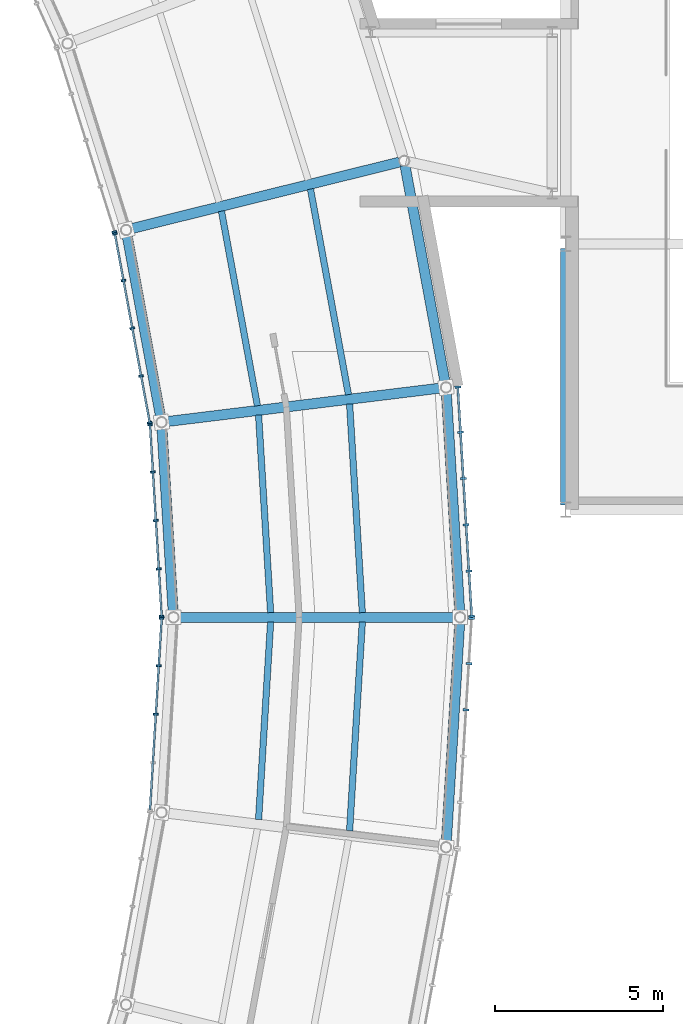
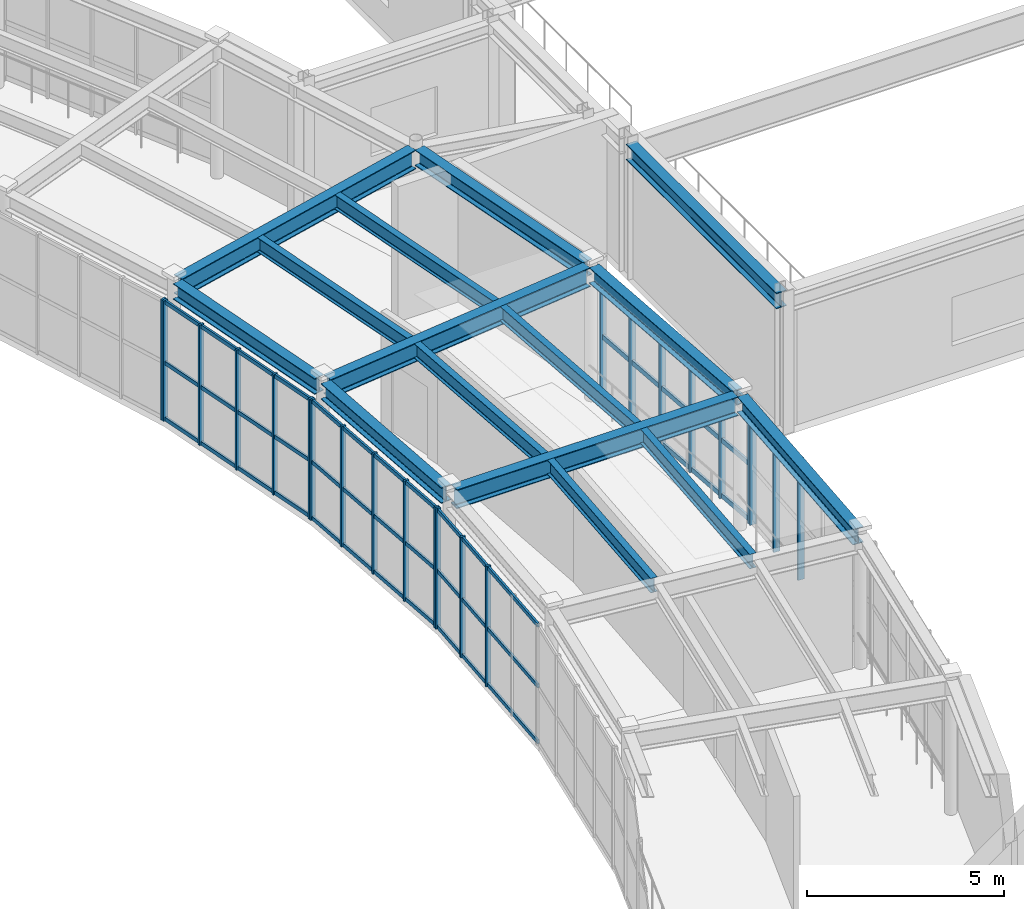
# One storey, part 38 of 103: 35 members, 15 beams, 6 elements without a shape of their own.
"""IFC4 building model written with IfcOpenShell, lengths in metres."""

import ifcopenshell
import ifcopenshell.guid

model = None  # the IFC model being written
_history = None  # IfcOwnerHistory: only IFC2X3 demands one
_inside = {}  # id of a spatial element -> (the spatial element, [elements in it])
_under = {}  # id of a project, library or spatial element -> (it, [spatial elements below it])
_declared = {}  # id of a project -> (the project, [libraries it declares])
_typed = {}  # id of a type object -> (the type object, [elements of that type])
_made_of = {}  # id of a material, layer set ... -> (it, [elements and type objects made of it])


def new_model(schema):
    """Start an empty IFC model of exactly this schema.

    Asked for "IFC4X3", IfcOpenShell would pick the latest addendum, in which some entities
    have other attributes; the version numbers below select the first issue.
    IFC2X3 requires an IfcOwnerHistory on every rooted entity: one is made here for all.
    """
    global model, _history
    if schema == "IFC4X3":
        model = ifcopenshell.file(schema_version=(4, 3, 0, 0))
    else:
        model = ifcopenshell.file(schema=schema)
    _inside.clear()
    _under.clear()
    _declared.clear()
    _typed.clear()
    _made_of.clear()
    _history = None
    if model.schema == "IFC2X3":
        org = make("IfcOrganization", Name="unknown")
        user = make(
            "IfcPersonAndOrganization",
            ThePerson=make("IfcPerson", FamilyName="unknown"),
            TheOrganization=org,
        )
        app = make(
            "IfcApplication",
            ApplicationDeveloper=org,
            Version="unknown",
            ApplicationFullName="unknown",
            ApplicationIdentifier="unknown",
        )
        _history = make(
            "IfcOwnerHistory",
            OwningUser=user,
            OwningApplication=app,
            ChangeAction="ADDED",
            CreationDate=0,
        )
    return model


def make(cls, **values):
    """One entity of the class cls with the attributes given. An attribute that is None is left unset."""
    return model.create_entity(
        cls, **{name: value for name, value in values.items() if value is not None}
    )


def rooted(cls, **values):
    """An entity with a GlobalId (a new one), such as an element, a storey or a relation."""
    return make(cls, GlobalId=ifcopenshell.guid.new(), OwnerHistory=_history, **values)


def si_unit(unit_type, name, prefix=None):
    """IfcSIUnit, for example si_unit("LENGTHUNIT", "METRE", prefix="MILLI")."""
    return make("IfcSIUnit", UnitType=unit_type, Prefix=prefix, Name=name)


def assignment(units):
    """IfcUnitAssignment: the units of a project."""
    return None if units is None else make("IfcUnitAssignment", Units=units)


def point(xyz):
    """IfcCartesianPoint."""
    return None if xyz is None else make("IfcCartesianPoint", Coordinates=xyz)


def direction(xyz):
    """IfcDirection."""
    return None if xyz is None else make("IfcDirection", DirectionRatios=xyz)


def frame(location, z_axis=None, x_axis=None):
    """IfcAxis2Placement3D, a coordinate frame: its origin and axes. An axis left out is left unset."""
    return make(
        "IfcAxis2Placement3D",
        Location=point(location),
        Axis=direction(z_axis),
        RefDirection=direction(x_axis),
    )


def frame_2d(location, x_axis=None):
    """IfcAxis2Placement2D, a coordinate frame in the plane: its origin and x axis."""
    return make(
        "IfcAxis2Placement2D", Location=point(location), RefDirection=direction(x_axis)
    )


def origin():
    """The frame at (0, 0, 0) with its axes left unset."""
    return frame((0.0, 0.0, 0.0))


def origin_2d():
    """The frame at (0, 0) in the plane with its x axis left unset."""
    return frame_2d((0.0, 0.0))


def place(relative_to, where):
    """IfcLocalPlacement: puts the frame where relative to a parent placement (None: the world)."""
    return make(
        "IfcLocalPlacement", PlacementRelTo=relative_to, RelativePlacement=where
    )


def context(
    kind, dimensions, precision=None, world=None, true_north=None, identifier=None
):
    """IfcGeometricRepresentationContext, for example the 3D "Model" context."""
    return make(
        "IfcGeometricRepresentationContext",
        ContextIdentifier=identifier,
        ContextType=kind,
        CoordinateSpaceDimension=dimensions,
        Precision=precision,
        WorldCoordinateSystem=world,
        TrueNorth=true_north,
    )


def subcontext(parent, identifier, kind, view, scale=None):
    """IfcGeometricRepresentationSubContext, for example "Body" below "Model"."""
    return make(
        "IfcGeometricRepresentationSubContext",
        ContextIdentifier=identifier,
        ContextType=kind,
        ParentContext=parent,
        TargetScale=scale,
        TargetView=view,
    )


def project(units=None, contexts=None):
    """IfcProject with its units and contexts."""
    return rooted(
        "IfcProject",
        Name="project",
        RepresentationContexts=contexts,
        UnitsInContext=assignment(units),
    )


def spatial(cls, under=None, at=None, **own):
    """A site, building, storey or space (cls), placed at a placement, below another one or the project."""
    s = rooted(cls, ObjectPlacement=at, **own)
    if under is not None:
        _under.setdefault(under.id(), (under, []))[1].append(s)
    return s


def profile(cls, at=None, kind="AREA", **sizes):
    """A parametric profile (cls). Its sizes go by their IFC names, for example OverallWidth=200.0."""
    return make(cls, ProfileType=kind, Position=at, **sizes)


def rectangle(**sizes):
    """IfcRectangleProfileDef."""
    return profile("IfcRectangleProfileDef", **sizes)


def i_section(**sizes):
    """IfcIShapeProfileDef."""
    return profile("IfcIShapeProfileDef", **sizes)


def extrude(swept, where, along, depth):
    """IfcExtrudedAreaSolid: the profile swept, set in the frame where, extruded along a direction by depth."""
    return make(
        "IfcExtrudedAreaSolid",
        SweptArea=swept,
        Position=where,
        ExtrudedDirection=direction(along),
        Depth=depth,
    )


def shape(context_of_items, identifier, shape_type, items):
    """IfcShapeRepresentation: the items that make up one representation, for example the "Body"."""
    return make(
        "IfcShapeRepresentation",
        ContextOfItems=context_of_items,
        RepresentationIdentifier=identifier,
        RepresentationType=shape_type,
        Items=items,
    )


def material(Name=None, Category=None):
    """IfcMaterial."""
    return make("IfcMaterial", Name=Name, Category=Category)


def material_profile(
    of_material, cross_section, Name=None, Category=None, Priority=None
):
    """IfcMaterialProfile: a cross section and its material."""
    return make(
        "IfcMaterialProfile",
        Name=Name,
        Material=of_material,
        Profile=cross_section,
        Priority=Priority,
        Category=Category,
    )


def profile_set(profiles, Name=None, composite=None):
    """IfcMaterialProfileSet."""
    return make(
        "IfcMaterialProfileSet",
        Name=Name,
        MaterialProfiles=profiles,
        CompositeProfile=composite,
    )


def made_of(thing, what):
    """Note that an element or type object is made of a material, layer set ...; save() writes the relation."""
    if what is not None:
        _made_of.setdefault(what.id(), (what, []))[1].append(thing)
    return thing


def type_object(cls, material=None, **own):
    """A type object (cls), such as IfcWallType, which elements share."""
    return made_of(rooted(cls, **own), material)


def element(
    cls,
    number,
    at=None,
    inside=None,
    cuts=None,
    type_object=None,
    material=None,
    context=None,
    identifier="Body",
    shape_type=None,
    held_by="IfcProductDefinitionShape",
    body=None,
    shapes=None,
    **own,
):
    """One element of the class cls, such as IfcWall. Its Tag is "e" and its number.

    at: its placement. inside: the storey or other place that contains it. cuts: it is an
    opening in that element (IfcRelVoidsElement). A single representation is given by context,
    identifier, shape_type and body (its items); several are given by shapes. held_by: the class
    of the entity that holds the representations. save() writes the other relations.
    """
    e = rooted(cls, Tag="e%d" % number, ObjectPlacement=at, **own)
    if body is not None:
        shapes = [shape(context, identifier, shape_type, body)]
    if shapes is not None:
        e.Representation = make(held_by, Representations=shapes)
    if inside is not None:
        _inside.setdefault(inside.id(), (inside, []))[1].append(e)
    if cuts is not None:
        rooted(
            "IfcRelVoidsElement", RelatingBuildingElement=cuts, RelatedOpeningElement=e
        )
    if type_object is not None:
        _typed.setdefault(type_object.id(), (type_object, []))[1].append(e)
    return made_of(e, material)


def aggregate(whole, parts):
    """IfcRelAggregates: a whole, such as a stair, and the parts it consists of."""
    return rooted("IfcRelAggregates", RelatingObject=whole, RelatedObjects=parts)


def save(model, path):
    """Write the relations noted so far, then the file.

    IfcRelAggregates (storeys below a building ...), IfcRelContainedInSpatialStructure (elements
    in a storey), IfcRelDefinesByType, IfcRelAssociatesMaterial and IfcRelDeclares: one each for
    every whole, place, type object, material and project.
    """
    for whole, parts in _under.values():
        aggregate(whole, parts)
    for where, things in _inside.values():
        rooted(
            "IfcRelContainedInSpatialStructure",
            RelatedElements=things,
            RelatingStructure=where,
        )
    for kind, things in _typed.values():
        rooted("IfcRelDefinesByType", RelatedObjects=things, RelatingType=kind)
    for what, things in _made_of.values():
        rooted("IfcRelAssociatesMaterial", RelatedObjects=things, RelatingMaterial=what)
    for by, libraries in _declared.values():
        rooted("IfcRelDeclares", RelatingContext=by, RelatedDefinitions=libraries)
    model.write(path)


model = new_model("IFC4")

# Units and contexts
model_context = context("Model", 3, precision=1e-05, world=origin(), true_north=direction((0.0, 1.0)))
body_context = subcontext(model_context, "Body", "Model", "MODEL_VIEW")
ifc_project = project(units=[si_unit("LENGTHUNIT", "METRE"), si_unit("AREAUNIT", "SQUARE_METRE"), si_unit("VOLUMEUNIT", "CUBIC_METRE"), si_unit("PLANEANGLEUNIT", "RADIAN"), si_unit("MASSUNIT", "GRAM", prefix="KILO")], contexts=[model_context])

# Site, building, storey
site_placement = place(None, origin())
site = spatial("IfcSite", under=ifc_project, at=site_placement, CompositionType="ELEMENT")
building_placement = place(site_placement, origin())
building = spatial("IfcBuilding", under=site, at=building_placement, Name="Varnklinge Art Gallery", CompositionType="ELEMENT")
storey_placement = place(building_placement, frame((0.0, 0.0, 5.10009765625)))
storey = spatial("IfcBuildingStorey", under=building, at=storey_placement, Name="L01", CompositionType="ELEMENT", Elevation=5.10009765625)

# Beams
ifc_material_1 = material(Name="Steel S355", Category="steel")
ifc_material_profile_1 = material_profile(ifc_material_1, i_section(OverallWidth=0.300048828125, OverallDepth=0.590087890625, WebThickness=0.012939453125, FlangeThickness=0.02490234375, FilletRadius=0.027099609375, at=origin_2d()), Name="HEA 600")
ifc_profile_set_1 = profile_set([ifc_material_profile_1], Name="Steel S355")
beam_type_1 = type_object("IfcBeamType", Name="BM-06", PredefinedType="BEAM", material=ifc_profile_set_1)
for number, where, z_axis, x_axis, name in (
    (1, (111.118408203125, 55.0, 3.885009765625), (-1.0, 0.0, 0.0), (0.0, -1.0, 0.0), "L01 BM-06 BM-V2-L02-R07"),
    (2, (110.702880859375, 61.81640625, 3.885009765625), (-0.992595580805, -0.121466098009, 0.0), (0.121466098009, -0.992595580805, 0.0), "L01 BM-06 BM-V2-L02-R08"),
):
    element("IfcBeam", number, at=place(storey_placement, frame(where, z_axis=z_axis, x_axis=x_axis)), inside=storey, type_object=beam_type_1, Name=name, PredefinedType="BEAM", context=body_context, shape_type="SweptSolid", body=[
        extrude(i_section(OverallWidth=0.300048828125, OverallDepth=0.590087890625, WebThickness=0.012939453125, FlangeThickness=0.02490234375, FilletRadius=0.027099609375, at=origin_2d()), origin(), (0.0, 0.0, 1.0), 8.23681640625),
    ])
beam_1_placement = place(storey_placement, frame((109.46240234375, 68.531982421875, 3.885009765625), z_axis=(-0.970493677731, -0.241126567355, 0.0), x_axis=(0.241126567355, -0.970493677731, 0.0)))
element("IfcBeam", 3, at=beam_1_placement, inside=storey, type_object=beam_type_1, Name="L01 BM-06 BM-V2-L02-R09", PredefinedType="BEAM", context=body_context, shape_type="SweptSolid", body=[
    extrude(i_section(OverallWidth=0.300048828125, OverallDepth=0.590087890625, WebThickness=0.012939453125, FlangeThickness=0.02490234375, FilletRadius=0.027099609375, at=origin_2d()), origin(), (0.0, 0.0, 1.0), 8.236572265625),
])
ifc_material_2 = material(Name="Steel S355", Category="steel")
ifc_material_profile_2 = material_profile(ifc_material_2, i_section(OverallWidth=0.18994140625, OverallDepth=0.449951171875, WebThickness=0.009521484375, FlangeThickness=0.0146484375, FilletRadius=0.02099609375, at=origin_2d()), Name="IPE 450")
ifc_profile_set_2 = profile_set([ifc_material_profile_2], Name="Steel S355")
beam_type_2 = type_object("IfcBeamType", Name="JST-04", PredefinedType="JOIST", material=ifc_profile_set_2)
beam_2_placement = place(storey_placement, frame((107.976318359375, 48.657958984375, 3.954833984375), z_axis=(0.060820084919, 0.998148745063, 0.0), x_axis=(-0.998148745063, 0.060820084919, 0.0)))
element("IfcBeam", 4, at=beam_2_placement, inside=storey, type_object=beam_type_2, Name="L01 JST-04 JST-V2-L02-06-1", PredefinedType="JOIST", context=body_context, shape_type="SweptSolid", body=[
    extrude(i_section(OverallWidth=0.18994140625, OverallDepth=0.449951171875, WebThickness=0.009521484375, FlangeThickness=0.0146484375, FilletRadius=0.02099609375, at=origin_2d()), origin(), (0.0, 0.0, 1.0), 6.2138671875),
])
beam_3_placement = place(storey_placement, frame((105.27099609375, 48.989013671875, 3.954833984375), z_axis=(0.060845929193, 0.998147169961, 0.0), x_axis=(-0.998147169961, 0.060845929193, 0.0)))
element("IfcBeam", 5, at=beam_3_placement, inside=storey, type_object=beam_type_2, Name="L01 JST-04 JST-V2-L02-06-2", PredefinedType="JOIST", context=body_context, shape_type="SweptSolid", body=[
    extrude(i_section(OverallWidth=0.18994140625, OverallDepth=0.449951171875, WebThickness=0.009521484375, FlangeThickness=0.0146484375, FilletRadius=0.02099609375, at=origin_2d()), origin(), (0.0, 0.0, 1.0), 5.88232421875),
])
beam_4_placement = place(storey_placement, frame((108.354248046875, 55.1396484375, 3.954833984375), z_axis=(-0.060820084919, 0.998148745063, 0.0), x_axis=(-0.998148745063, -0.060820084919, 0.0)))
element("IfcBeam", 6, at=beam_4_placement, inside=storey, type_object=beam_type_2, Name="L01 JST-04 JST-V2-L02-07-1", PredefinedType="JOIST", context=body_context, shape_type="SweptSolid", body=[
    extrude(i_section(OverallWidth=0.18994140625, OverallDepth=0.449951171875, WebThickness=0.009521484375, FlangeThickness=0.0146484375, FilletRadius=0.02099609375, at=origin_2d()), origin(), (0.0, 0.0, 1.0), 6.2138671875),
])
beam_5_placement = place(storey_placement, frame((105.62890625, 55.1396484375, 3.954833984375), z_axis=(-0.060845929193, 0.998147169961, 0.0), x_axis=(-0.998147169961, -0.060845929193, 0.0)))
element("IfcBeam", 7, at=beam_5_placement, inside=storey, type_object=beam_type_2, Name="L01 JST-04 JST-V2-L02-07-2", PredefinedType="JOIST", context=body_context, shape_type="SweptSolid", body=[
    extrude(i_section(OverallWidth=0.18994140625, OverallDepth=0.449951171875, WebThickness=0.009521484375, FlangeThickness=0.0146484375, FilletRadius=0.02099609375, at=origin_2d()), origin(), (0.0, 0.0, 1.0), 5.88232421875),
])
beam_6_placement = place(storey_placement, frame((107.942138671875, 61.619384765625, 3.954833984375), z_axis=(-0.181640421722, 0.983365017273, 0.0), x_axis=(-0.983365017273, -0.181640421722, 0.0)))
element("IfcBeam", 8, at=beam_6_placement, inside=storey, type_object=beam_type_2, Name="L01 JST-04 JST-V2-L02-08-1", PredefinedType="JOIST", context=body_context, shape_type="SweptSolid", body=[
    extrude(i_section(OverallWidth=0.18994140625, OverallDepth=0.449951171875, WebThickness=0.009521484375, FlangeThickness=0.0146484375, FilletRadius=0.02099609375, at=origin_2d()), origin(), (0.0, 0.0, 1.0), 6.213623046875),
])
beam_7_placement = place(storey_placement, frame((105.23681640625, 61.288330078125, 3.954833984375), z_axis=(-0.181631460363, 0.983366672512, 0.0), x_axis=(-0.983366672512, -0.181631460363, 0.0)))
element("IfcBeam", 9, at=beam_7_placement, inside=storey, type_object=beam_type_2, Name="L01 JST-04 JST-V2-L02-08-2", PredefinedType="JOIST", context=body_context, shape_type="SweptSolid", body=[
    extrude(i_section(OverallWidth=0.18994140625, OverallDepth=0.449951171875, WebThickness=0.009521484375, FlangeThickness=0.0146484375, FilletRadius=0.02099609375, at=origin_2d()), origin(), (0.0, 0.0, 1.0), 5.882080078125),
])

# Curtain wall, members
ifc_material_3 = material(Name="Anodised Aluminium", Category="aluminium")
curtain_wall_type_1 = type_object("IfcCurtainWallType", Name="CW-R02", PredefinedType="USERDEFINED", material=ifc_material_3)
curtain_wall_1_placement = place(storey_placement, origin())
curtain_wall_1 = element("IfcCurtainWall", 10, at=curtain_wall_1_placement, inside=storey, type_object=curtain_wall_type_1, Name="L01 Curtain Wall CW-V2O-L01-06", ObjectType="UNITISED CURTAIN WALL", PredefinedType="USERDEFINED")
ifc_material_4 = material(Name="Anodised Aluminium", Category="aluminium")
ifc_material_profile_3 = material_profile(ifc_material_4, rectangle(XDim=0.06494140625, YDim=0.179931640625, at=origin_2d()), Name="ALU 65x180")
ifc_profile_set_3 = profile_set([ifc_material_profile_3], Name="Anodised Aluminium")
member_type_1 = type_object("IfcMemberType", Name="MUL-01", PredefinedType="MULLION", material=ifc_profile_set_3)
member_1_placement = place(storey_placement, frame((111.44091796875, 52.24951171875, 0.0), z_axis=(0.0, 0.0, 1.0), x_axis=(0.06087433122, 0.9981454382, 0.0)))
member_1 = element("IfcMember", 11, at=member_1_placement, type_object=member_type_1, Name="CW-V2O-L01-06 Mullion 4", PredefinedType="MULLION", context=body_context, shape_type="SweptSolid", body=[
    extrude(rectangle(XDim=0.06494140625, YDim=0.179931640625, at=origin_2d()), origin(), (0.0, 0.0, 1.0), 3.72998046875),
])
member_2_placement = place(storey_placement, frame((111.524658203125, 53.624755859375, 0.0), z_axis=(0.0, 0.0, 1.0), x_axis=(0.06087433122, 0.9981454382, 0.0)))
member_2 = element("IfcMember", 12, at=member_2_placement, type_object=member_type_1, Name="CW-V2O-L01-06 Mullion 5", PredefinedType="MULLION", context=body_context, shape_type="SweptSolid", body=[
    extrude(rectangle(XDim=0.06494140625, YDim=0.179931640625, at=origin_2d()), origin(), (0.0, 0.0, 1.0), 3.72998046875),
])
member_3_placement = place(storey_placement, frame((111.6064453125, 54.967529296875, 0.0), z_axis=(0.0, 0.0, 1.0), x_axis=(0.06087433122, 0.9981454382, 0.0)))
member_3 = element("IfcMember", 13, at=member_3_placement, type_object=member_type_1, Name="CW-V2O-L01-06 Mullion 6", PredefinedType="MULLION", context=body_context, shape_type="SweptSolid", body=[
    extrude(rectangle(XDim=0.06494140625, YDim=0.179931640625, at=origin_2d()), origin(), (0.0, 0.0, 1.0), 3.72998046875),
])
aggregate(curtain_wall_1, [member_1, member_2, member_3])

curtain_wall_2_placement = place(storey_placement, origin())
curtain_wall_2 = element("IfcCurtainWall", 14, at=curtain_wall_2_placement, inside=storey, type_object=curtain_wall_type_1, Name="L01 Curtain Wall CW-V2O-L01-07", ObjectType="UNITISED CURTAIN WALL", PredefinedType="USERDEFINED")
member_4_placement = place(storey_placement, frame((111.6064453125, 55.032470703125, 0.0), z_axis=(0.0, 0.0, 1.0), x_axis=(-0.06087433122, 0.9981454382, 0.0)))
member_4 = element("IfcMember", 15, at=member_4_placement, type_object=member_type_1, Name="CW-V2O-L01-07 Mullion 1", PredefinedType="MULLION", context=body_context, shape_type="SweptSolid", body=[
    extrude(rectangle(XDim=0.06494140625, YDim=0.179931640625, at=origin_2d()), origin(), (0.0, 0.0, 1.0), 3.72998046875),
])
member_5_placement = place(storey_placement, frame((111.524658203125, 56.375244140625, 0.0), z_axis=(0.0, 0.0, 1.0), x_axis=(-0.06087433122, 0.9981454382, 0.0)))
member_5 = element("IfcMember", 16, at=member_5_placement, type_object=member_type_1, Name="CW-V2O-L01-07 Mullion 2", PredefinedType="MULLION", context=body_context, shape_type="SweptSolid", body=[
    extrude(rectangle(XDim=0.06494140625, YDim=0.179931640625, at=origin_2d()), origin(), (0.0, 0.0, 1.0), 3.72998046875),
])
member_6_placement = place(storey_placement, frame((111.44091796875, 57.75048828125, 0.0), z_axis=(0.0, 0.0, 1.0), x_axis=(-0.06087433122, 0.9981454382, 0.0)))
member_6 = element("IfcMember", 17, at=member_6_placement, type_object=member_type_1, Name="CW-V2O-L01-07 Mullion 3", PredefinedType="MULLION", context=body_context, shape_type="SweptSolid", body=[
    extrude(rectangle(XDim=0.06494140625, YDim=0.179931640625, at=origin_2d()), origin(), (0.0, 0.0, 1.0), 3.72998046875),
])
member_7_placement = place(storey_placement, frame((111.35693359375, 59.12548828125, 0.0), z_axis=(0.0, 0.0, 1.0), x_axis=(-0.06087433122, 0.9981454382, 0.0)))
member_7 = element("IfcMember", 18, at=member_7_placement, type_object=member_type_1, Name="CW-V2O-L01-07 Mullion 4", PredefinedType="MULLION", context=body_context, shape_type="SweptSolid", body=[
    extrude(rectangle(XDim=0.06494140625, YDim=0.179931640625, at=origin_2d()), origin(), (0.0, 0.0, 1.0), 3.72998046875),
])
member_8_placement = place(storey_placement, frame((111.273193359375, 60.500732421875, 0.0), z_axis=(0.0, 0.0, 1.0), x_axis=(-0.06087433122, 0.9981454382, 0.0)))
member_8 = element("IfcMember", 19, at=member_8_placement, type_object=member_type_1, Name="CW-V2O-L01-07 Mullion 5", PredefinedType="MULLION", context=body_context, shape_type="SweptSolid", body=[
    extrude(rectangle(XDim=0.06494140625, YDim=0.179931640625, at=origin_2d()), origin(), (0.0, 0.0, 1.0), 3.72998046875),
])
member_9_placement = place(storey_placement, frame((111.19140625, 61.843505859375, 0.0), z_axis=(0.0, 0.0, 1.0), x_axis=(-0.06087433122, 0.9981454382, 0.0)))
member_9 = element("IfcMember", 20, at=member_9_placement, type_object=member_type_1, Name="CW-V2O-L01-07 Mullion 6", PredefinedType="MULLION", context=body_context, shape_type="SweptSolid", body=[
    extrude(rectangle(XDim=0.06494140625, YDim=0.179931640625, at=origin_2d()), origin(), (0.0, 0.0, 1.0), 3.72998046875),
])

ifc_material_5 = material(Name="Anodised Aluminium", Category="aluminium")
curtain_wall_type_2 = type_object("IfcCurtainWallType", Name="CW-R04", PredefinedType="USERDEFINED", material=ifc_material_5)
curtain_wall_3_placement = place(storey_placement, origin())
curtain_wall_3 = element("IfcCurtainWall", 21, at=curtain_wall_3_placement, inside=storey, type_object=curtain_wall_type_2, Name="L01 Curtain Wall CW-V2I-L01-06", ObjectType="UNITISED CURTAIN WALL", PredefinedType="USERDEFINED")
ifc_material_6 = material(Name="Anodised Aluminium", Category="aluminium")
ifc_material_profile_4 = material_profile(ifc_material_6, rectangle(XDim=0.06005859375, YDim=0.139892578125, at=origin_2d()), Name="ALU 60x140")
ifc_profile_set_4 = profile_set([ifc_material_profile_4], Name="Anodised Aluminium")
member_type_2 = type_object("IfcMemberType", Name="MUL-03", PredefinedType="MULLION", material=ifc_profile_set_4)
member_10_placement = place(storey_placement, frame((102.3896484375, 54.97021484375, 0.0), z_axis=(0.0, 0.0, 1.0), x_axis=(-0.06087433122, -0.9981454382, 0.0)))
member_10 = element("IfcMember", 22, at=member_10_placement, type_object=member_type_2, Name="CW-V2I-L01-06 Mullion 1", PredefinedType="MULLION", context=body_context, shape_type="SweptSolid", body=[
    extrude(rectangle(XDim=0.06005859375, YDim=0.139892578125, at=origin_2d()), origin(), (0.0, 0.0, 1.0), 3.72998046875),
])
member_11_placement = place(storey_placement, frame((102.3037109375, 53.560791015625, 0.0), z_axis=(0.0, 0.0, 1.0), x_axis=(-0.06087433122, -0.9981454382, 0.0)))
member_11 = element("IfcMember", 23, at=member_11_placement, type_object=member_type_2, Name="CW-V2I-L01-06 Mullion 2", PredefinedType="MULLION", context=body_context, shape_type="SweptSolid", body=[
    extrude(rectangle(XDim=0.06005859375, YDim=0.139892578125, at=origin_2d()), origin(), (0.0, 0.0, 1.0), 3.72998046875),
])
member_12_placement = place(storey_placement, frame((102.216064453125, 52.121826171875, 0.0), z_axis=(0.0, 0.0, 1.0), x_axis=(-0.06087433122, -0.9981454382, 0.0)))
member_12 = element("IfcMember", 24, at=member_12_placement, type_object=member_type_2, Name="CW-V2I-L01-06 Mullion 3", PredefinedType="MULLION", context=body_context, shape_type="SweptSolid", body=[
    extrude(rectangle(XDim=0.06005859375, YDim=0.139892578125, at=origin_2d()), origin(), (0.0, 0.0, 1.0), 3.72998046875),
])

curtain_wall_4_placement = place(storey_placement, origin())
curtain_wall_4 = element("IfcCurtainWall", 25, at=curtain_wall_4_placement, inside=storey, type_object=curtain_wall_type_2, Name="L01 Curtain Wall CW-V2I-L01-07", ObjectType="UNITISED CURTAIN WALL", PredefinedType="USERDEFINED")
member_13_placement = place(storey_placement, frame((102.04248046875, 60.7265625, 0.0), z_axis=(0.0, 0.0, 1.0), x_axis=(0.06087433122, -0.9981454382, 0.0)))
member_13 = element("IfcMember", 26, at=member_13_placement, type_object=member_type_2, Name="CW-V2I-L01-07 Mullion 1", PredefinedType="MULLION", context=body_context, shape_type="SweptSolid", body=[
    extrude(rectangle(XDim=0.06005859375, YDim=0.139892578125, at=origin_2d()), origin(), (0.0, 0.0, 1.0), 3.72998046875),
])
member_14_placement = place(storey_placement, frame((102.12841796875, 59.3173828125, 0.0), z_axis=(0.0, 0.0, 1.0), x_axis=(0.06087433122, -0.9981454382, 0.0)))
member_14 = element("IfcMember", 27, at=member_14_placement, type_object=member_type_2, Name="CW-V2I-L01-07 Mullion 2", PredefinedType="MULLION", context=body_context, shape_type="SweptSolid", body=[
    extrude(rectangle(XDim=0.06005859375, YDim=0.139892578125, at=origin_2d()), origin(), (0.0, 0.0, 1.0), 3.72998046875),
])
member_15_placement = place(storey_placement, frame((102.216064453125, 57.878173828125, 0.0), z_axis=(0.0, 0.0, 1.0), x_axis=(0.06087433122, -0.9981454382, 0.0)))
member_15 = element("IfcMember", 28, at=member_15_placement, type_object=member_type_2, Name="CW-V2I-L01-07 Mullion 3", PredefinedType="MULLION", context=body_context, shape_type="SweptSolid", body=[
    extrude(rectangle(XDim=0.06005859375, YDim=0.139892578125, at=origin_2d()), origin(), (0.0, 0.0, 1.0), 3.72998046875),
])
member_16_placement = place(storey_placement, frame((102.3037109375, 56.439208984375, 0.0), z_axis=(0.0, 0.0, 1.0), x_axis=(0.06087433122, -0.9981454382, 0.0)))
member_16 = element("IfcMember", 29, at=member_16_placement, type_object=member_type_2, Name="CW-V2I-L01-07 Mullion 4", PredefinedType="MULLION", context=body_context, shape_type="SweptSolid", body=[
    extrude(rectangle(XDim=0.06005859375, YDim=0.139892578125, at=origin_2d()), origin(), (0.0, 0.0, 1.0), 3.72998046875),
])
member_17_placement = place(storey_placement, frame((102.3896484375, 55.02978515625, 0.0), z_axis=(0.0, 0.0, 1.0), x_axis=(0.06087433122, -0.9981454382, 0.0)))
member_17 = element("IfcMember", 30, at=member_17_placement, type_object=member_type_2, Name="CW-V2I-L01-07 Mullion 5", PredefinedType="MULLION", context=body_context, shape_type="SweptSolid", body=[
    extrude(rectangle(XDim=0.06005859375, YDim=0.139892578125, at=origin_2d()), origin(), (0.0, 0.0, 1.0), 3.72998046875),
])

curtain_wall_5_placement = place(storey_placement, origin())
curtain_wall_5 = element("IfcCurtainWall", 31, at=curtain_wall_5_placement, inside=storey, type_object=curtain_wall_type_2, Name="L01 Curtain Wall CW-V2I-L01-08", ObjectType="UNITISED CURTAIN WALL", PredefinedType="USERDEFINED")
member_18_placement = place(storey_placement, frame((100.99853515625, 66.398193359375, 0.0), z_axis=(0.0, 0.0, 1.0), x_axis=(0.181549039717, -0.983381892338, 0.0)))
member_18 = element("IfcMember", 32, at=member_18_placement, type_object=member_type_2, Name="CW-V2I-L01-08 Mullion 1", PredefinedType="MULLION", context=body_context, shape_type="SweptSolid", body=[
    extrude(rectangle(XDim=0.06005859375, YDim=0.139892578125, at=origin_2d()), origin(), (0.0, 0.0, 1.0), 3.72998046875),
])
member_19_placement = place(storey_placement, frame((101.2548828125, 65.009765625, 0.0), z_axis=(0.0, 0.0, 1.0), x_axis=(0.181549039717, -0.983381892338, 0.0)))
member_19 = element("IfcMember", 33, at=member_19_placement, type_object=member_type_2, Name="CW-V2I-L01-08 Mullion 2", PredefinedType="MULLION", context=body_context, shape_type="SweptSolid", body=[
    extrude(rectangle(XDim=0.06005859375, YDim=0.139892578125, at=origin_2d()), origin(), (0.0, 0.0, 1.0), 3.72998046875),
])
member_20_placement = place(storey_placement, frame((101.516845703125, 63.592041015625, 0.0), z_axis=(0.0, 0.0, 1.0), x_axis=(0.181549039717, -0.983381892338, 0.0)))
member_20 = element("IfcMember", 34, at=member_20_placement, type_object=member_type_2, Name="CW-V2I-L01-08 Mullion 3", PredefinedType="MULLION", context=body_context, shape_type="SweptSolid", body=[
    extrude(rectangle(XDim=0.06005859375, YDim=0.139892578125, at=origin_2d()), origin(), (0.0, 0.0, 1.0), 3.72998046875),
])
member_21_placement = place(storey_placement, frame((101.77880859375, 62.17431640625, 0.0), z_axis=(0.0, 0.0, 1.0), x_axis=(0.181549039717, -0.983381892338, 0.0)))
member_21 = element("IfcMember", 35, at=member_21_placement, type_object=member_type_2, Name="CW-V2I-L01-08 Mullion 4", PredefinedType="MULLION", context=body_context, shape_type="SweptSolid", body=[
    extrude(rectangle(XDim=0.06005859375, YDim=0.139892578125, at=origin_2d()), origin(), (0.0, 0.0, 1.0), 3.72998046875),
])
member_22_placement = place(storey_placement, frame((102.03515625, 60.785888671875, 0.0), z_axis=(0.0, 0.0, 1.0), x_axis=(0.181549039717, -0.983381892338, 0.0)))
member_22 = element("IfcMember", 36, at=member_22_placement, type_object=member_type_2, Name="CW-V2I-L01-08 Mullion 5", PredefinedType="MULLION", context=body_context, shape_type="SweptSolid", body=[
    extrude(rectangle(XDim=0.06005859375, YDim=0.139892578125, at=origin_2d()), origin(), (0.0, 0.0, 1.0), 3.72998046875),
])

# Curtain wall, member
curtain_wall_6_placement = place(storey_placement, origin())
curtain_wall_6 = element("IfcCurtainWall", 37, at=curtain_wall_6_placement, inside=storey, type_object=curtain_wall_type_2, Name="L01 Curtain Wall CW-V2I-L01-09", ObjectType="UNITISED CURTAIN WALL", PredefinedType="USERDEFINED")
member_23_placement = place(storey_placement, frame((100.984130859375, 66.456298828125, 0.0), z_axis=(0.0, 0.0, 1.0), x_axis=(0.299706904751, -0.954031326134, 0.0)))
member_23 = element("IfcMember", 38, at=member_23_placement, type_object=member_type_2, Name="CW-V2I-L01-09 Mullion 5", PredefinedType="MULLION", context=body_context, shape_type="SweptSolid", body=[
    extrude(rectangle(XDim=0.06005859375, YDim=0.139892578125, at=origin_2d()), origin(), (0.0, 0.0, 1.0), 3.72998046875),
])
aggregate(curtain_wall_6, [member_23])

# Beams
ifc_material_7 = material(Name="Steel S355", Category="steel")
ifc_material_profile_5 = material_profile(ifc_material_7, i_section(OverallWidth=0.300048828125, OverallDepth=0.489990234375, WebThickness=0.011962890625, FlangeThickness=0.02294921875, FilletRadius=0.027099609375, at=origin_2d()), Name="HEA 500")
ifc_profile_set_5 = profile_set([ifc_material_profile_5], Name="Steel S355")
beam_type_3 = type_object("IfcBeamType", Name="SPB-01", PredefinedType="SPANDREL", material=ifc_profile_set_5)
beam_8_placement = place(storey_placement, frame((114.39990234375, 58.340087890625, 3.9248046875), z_axis=(0.0, 1.0, 0.0), x_axis=(-1.0, 0.0, 0.0)))
element("IfcBeam", 39, at=beam_8_placement, inside=storey, type_object=beam_type_3, Name="L01 SPB-01 BM-V1-L02-Y0-0", PredefinedType="SPANDREL", context=body_context, shape_type="SweptSolid", body=[
    extrude(i_section(OverallWidth=0.300048828125, OverallDepth=0.489990234375, WebThickness=0.011962890625, FlangeThickness=0.02294921875, FilletRadius=0.027099609375, at=origin_2d()), origin(), (0.0, 0.0, 1.0), 7.619873046875),
])
for number, where, z_axis, x_axis, name in (
    (40, (110.8505859375, 48.30615234375, 3.934814453125), (0.060827334582, 0.998148303293, 0.0), (-0.998148303293, 0.060827334582, 0.0), "L01 SPB-01 BM-V2-L02-O06"),
    (41, (111.25, 55.1396484375, 3.934814453125), (-0.060827334582, 0.998148303293, 0.0), (-0.998148303293, -0.060827334582, 0.0), "L01 SPB-01 BM-V2-L02-O07"),
):
    element("IfcBeam", number, at=place(storey_placement, frame(where, z_axis=z_axis, x_axis=x_axis)), inside=storey, type_object=beam_type_3, Name=name, PredefinedType="SPANDREL", context=body_context, shape_type="SweptSolid", body=[
        extrude(i_section(OverallWidth=0.300048828125, OverallDepth=0.489990234375, WebThickness=0.011962890625, FlangeThickness=0.02294921875, FilletRadius=0.027099609375, at=origin_2d()), origin(), (0.0, 0.0, 1.0), 6.56640625),
    ])
beam_9_placement = place(storey_placement, frame((102.73291015625, 55.1396484375, 3.934814453125), z_axis=(-0.06083896784, 0.998147594293, 0.0), x_axis=(-0.998147594293, -0.06083896784, 0.0)))
element("IfcBeam", 42, at=beam_9_placement, inside=storey, type_object=beam_type_3, Name="L01 SPB-01 BM-V2-L02-I07", PredefinedType="SPANDREL", context=body_context, shape_type="SweptSolid", body=[
    extrude(i_section(OverallWidth=0.300048828125, OverallDepth=0.489990234375, WebThickness=0.011962890625, FlangeThickness=0.02294921875, FilletRadius=0.027099609375, at=origin_2d()), origin(), (0.0, 0.0, 1.0), 5.52978515625),
])
beam_10_placement = place(storey_placement, frame((110.816650390625, 61.97119140625, 3.934814453125), z_axis=(-0.181672496831, 0.983359092039, 0.0), x_axis=(-0.983359092039, -0.181672496831, 0.0)))
element("IfcBeam", 43, at=beam_10_placement, inside=storey, type_object=beam_type_3, Name="L01 SPB-01 BM-V2-L02-O08", PredefinedType="SPANDREL", context=body_context, shape_type="SweptSolid", body=[
    extrude(i_section(OverallWidth=0.300048828125, OverallDepth=0.489990234375, WebThickness=0.011962890625, FlangeThickness=0.02294921875, FilletRadius=0.027099609375, at=origin_2d()), origin(), (0.0, 0.0, 1.0), 6.566162109375),
])
beam_11_placement = place(storey_placement, frame((102.362548828125, 60.9365234375, 3.934814453125), z_axis=(-0.181635496942, 0.983365926932, 0.0), x_axis=(-0.983365926932, -0.181635496942, 0.0)))
element("IfcBeam", 44, at=beam_11_placement, inside=storey, type_object=beam_type_3, Name="L01 SPB-01 BM-V2-L02-I08", PredefinedType="SPANDREL", context=body_context, shape_type="SweptSolid", body=[
    extrude(i_section(OverallWidth=0.300048828125, OverallDepth=0.489990234375, WebThickness=0.011962890625, FlangeThickness=0.02294921875, FilletRadius=0.027099609375, at=origin_2d()), origin(), (0.0, 0.0, 1.0), 5.52978515625),
])

# Member
ifc_material_8 = material(Name="Anodised Aluminium", Category="aluminium")
ifc_material_profile_6 = material_profile(ifc_material_8, rectangle(XDim=0.06494140625, YDim=0.14990234375, at=origin_2d()), Name="ALU 65x150")
ifc_profile_set_6 = profile_set([ifc_material_profile_6], Name="Anodised Aluminium")
member_type_3 = type_object("IfcMemberType", Name="TRN-01", PredefinedType="USERDEFINED", material=ifc_profile_set_6)
member_24_placement = place(storey_placement, frame((111.6064453125, 55.032470703125, 0.074951171875), z_axis=(-0.060823446783, 0.998148540209, 0.0), x_axis=(-0.998148540209, -0.060823446783, 0.0)))
member_24 = element("IfcMember", 45, at=member_24_placement, type_object=member_type_3, Name="CW-V2O-L01-07 Transom 1", ObjectType="TRANSOM", PredefinedType="USERDEFINED", context=body_context, shape_type="SweptSolid", body=[
    extrude(rectangle(XDim=0.06494140625, YDim=0.14990234375, at=origin_2d()), origin(), (0.0, 0.0, 1.0), 6.82373046875),
])

member_25_placement = place(storey_placement, frame((111.6064453125, 55.032470703125, 1.790283203125), z_axis=(-0.060823446783, 0.998148540209, 0.0), x_axis=(-0.998148540209, -0.060823446783, 0.0)))
member_25 = element("IfcMember", 46, at=member_25_placement, type_object=member_type_3, Name="CW-V2O-L01-07 Transom 2", ObjectType="TRANSOM", PredefinedType="USERDEFINED", context=body_context, shape_type="SweptSolid", body=[
    extrude(rectangle(XDim=0.06494140625, YDim=0.14990234375, at=origin_2d()), origin(), (0.0, 0.0, 1.0), 6.82373046875),
])

member_26_placement = place(storey_placement, frame((111.6064453125, 55.032470703125, 3.65478515625), z_axis=(-0.060823446783, 0.998148540209, 0.0), x_axis=(-0.998148540209, -0.060823446783, 0.0)))
member_26 = element("IfcMember", 47, at=member_26_placement, type_object=member_type_3, Name="CW-V2O-L01-07 Transom 3", ObjectType="TRANSOM", PredefinedType="USERDEFINED", context=body_context, shape_type="SweptSolid", body=[
    extrude(rectangle(XDim=0.06494140625, YDim=0.14990234375, at=origin_2d()), origin(), (0.0, 0.0, 1.0), 6.82373046875),
])

aggregate(curtain_wall_2, [member_4, member_5, member_6, member_7, member_8, member_9, member_24, member_25, member_26])

ifc_material_9 = material(Name="Anodised Aluminium", Category="aluminium")
ifc_material_profile_7 = material_profile(ifc_material_9, rectangle(XDim=0.06005859375, YDim=0.1201171875, at=origin_2d()), Name="ALU 60x120")
ifc_profile_set_7 = profile_set([ifc_material_profile_7], Name="Anodised Aluminium")
member_type_4 = type_object("IfcMemberType", Name="TRN-02", PredefinedType="USERDEFINED", material=ifc_profile_set_7)
member_27_placement = place(storey_placement, frame((102.3896484375, 54.97021484375, 0.059814453125), z_axis=(-0.060828268038, -0.998148246408, 0.0), x_axis=(0.998148246408, -0.060828268038, 0.0)))
member_27 = element("IfcMember", 48, at=member_27_placement, type_object=member_type_4, Name="CW-V2I-L01-06 Transom 1", ObjectType="TRANSOM", PredefinedType="USERDEFINED", context=body_context, shape_type="SweptSolid", body=[
    extrude(rectangle(XDim=0.06005859375, YDim=0.1201171875, at=origin_2d()), origin(), (0.0, 0.0, 1.0), 5.707275390625),
])

member_28_placement = place(storey_placement, frame((102.3896484375, 54.97021484375, 1.790283203125), z_axis=(-0.060828268038, -0.998148246408, 0.0), x_axis=(0.998148246408, -0.060828268038, 0.0)))
member_28 = element("IfcMember", 49, at=member_28_placement, type_object=member_type_4, Name="CW-V2I-L01-06 Transom 2", ObjectType="TRANSOM", PredefinedType="USERDEFINED", context=body_context, shape_type="SweptSolid", body=[
    extrude(rectangle(XDim=0.06005859375, YDim=0.1201171875, at=origin_2d()), origin(), (0.0, 0.0, 1.0), 5.707275390625),
])

member_29_placement = place(storey_placement, frame((102.3896484375, 54.97021484375, 3.669921875), z_axis=(-0.060828268038, -0.998148246408, 0.0), x_axis=(0.998148246408, -0.060828268038, 0.0)))
member_29 = element("IfcMember", 50, at=member_29_placement, type_object=member_type_4, Name="CW-V2I-L01-06 Transom 3", ObjectType="TRANSOM", PredefinedType="USERDEFINED", context=body_context, shape_type="SweptSolid", body=[
    extrude(rectangle(XDim=0.06005859375, YDim=0.1201171875, at=origin_2d()), origin(), (0.0, 0.0, 1.0), 5.707275390625),
])

aggregate(curtain_wall_3, [member_10, member_11, member_12, member_27, member_28, member_29])

member_30_placement = place(storey_placement, frame((102.04248046875, 60.7265625, 0.059814453125), z_axis=(0.060828268038, -0.998148246408, 0.0), x_axis=(0.998148246408, 0.060828268038, 0.0)))
member_30 = element("IfcMember", 51, at=member_30_placement, type_object=member_type_4, Name="CW-V2I-L01-07 Transom 1", ObjectType="TRANSOM", PredefinedType="USERDEFINED", context=body_context, shape_type="SweptSolid", body=[
    extrude(rectangle(XDim=0.06005859375, YDim=0.1201171875, at=origin_2d()), origin(), (0.0, 0.0, 1.0), 5.707275390625),
])

member_31_placement = place(storey_placement, frame((102.04248046875, 60.7265625, 1.790283203125), z_axis=(0.060828268038, -0.998148246408, 0.0), x_axis=(0.998148246408, 0.060828268038, 0.0)))
member_31 = element("IfcMember", 52, at=member_31_placement, type_object=member_type_4, Name="CW-V2I-L01-07 Transom 2", ObjectType="TRANSOM", PredefinedType="USERDEFINED", context=body_context, shape_type="SweptSolid", body=[
    extrude(rectangle(XDim=0.06005859375, YDim=0.1201171875, at=origin_2d()), origin(), (0.0, 0.0, 1.0), 5.707275390625),
])

member_32_placement = place(storey_placement, frame((102.04248046875, 60.7265625, 3.669921875), z_axis=(0.060828268038, -0.998148246408, 0.0), x_axis=(0.998148246408, 0.060828268038, 0.0)))
member_32 = element("IfcMember", 53, at=member_32_placement, type_object=member_type_4, Name="CW-V2I-L01-07 Transom 3", ObjectType="TRANSOM", PredefinedType="USERDEFINED", context=body_context, shape_type="SweptSolid", body=[
    extrude(rectangle(XDim=0.06005859375, YDim=0.1201171875, at=origin_2d()), origin(), (0.0, 0.0, 1.0), 5.707275390625),
])

aggregate(curtain_wall_4, [member_13, member_14, member_15, member_16, member_17, member_30, member_31, member_32])

member_33_placement = place(storey_placement, frame((100.99853515625, 66.398193359375, 0.059814453125), z_axis=(0.181632759384, -0.983366432577, 0.0), x_axis=(0.983366432577, 0.181632759384, 0.0)))
member_33 = element("IfcMember", 54, at=member_33_placement, type_object=member_type_4, Name="CW-V2I-L01-08 Transom 1", ObjectType="TRANSOM", PredefinedType="USERDEFINED", context=body_context, shape_type="SweptSolid", body=[
    extrude(rectangle(XDim=0.06005859375, YDim=0.1201171875, at=origin_2d()), origin(), (0.0, 0.0, 1.0), 5.707275390625),
])

member_34_placement = place(storey_placement, frame((100.99853515625, 66.398193359375, 1.790283203125), z_axis=(0.181632759384, -0.983366432577, 0.0), x_axis=(0.983366432577, 0.181632759384, 0.0)))
member_34 = element("IfcMember", 55, at=member_34_placement, type_object=member_type_4, Name="CW-V2I-L01-08 Transom 2", ObjectType="TRANSOM", PredefinedType="USERDEFINED", context=body_context, shape_type="SweptSolid", body=[
    extrude(rectangle(XDim=0.06005859375, YDim=0.1201171875, at=origin_2d()), origin(), (0.0, 0.0, 1.0), 5.707275390625),
])

member_35_placement = place(storey_placement, frame((100.99853515625, 66.398193359375, 3.669921875), z_axis=(0.181632759384, -0.983366432577, 0.0), x_axis=(0.983366432577, 0.181632759384, 0.0)))
member_35 = element("IfcMember", 56, at=member_35_placement, type_object=member_type_4, Name="CW-V2I-L01-08 Transom 3", ObjectType="TRANSOM", PredefinedType="USERDEFINED", context=body_context, shape_type="SweptSolid", body=[
    extrude(rectangle(XDim=0.06005859375, YDim=0.1201171875, at=origin_2d()), origin(), (0.0, 0.0, 1.0), 5.707275390625),
])

aggregate(curtain_wall_5, [member_18, member_19, member_20, member_21, member_22, member_33, member_34, member_35])

save(model, "model.ifc")
